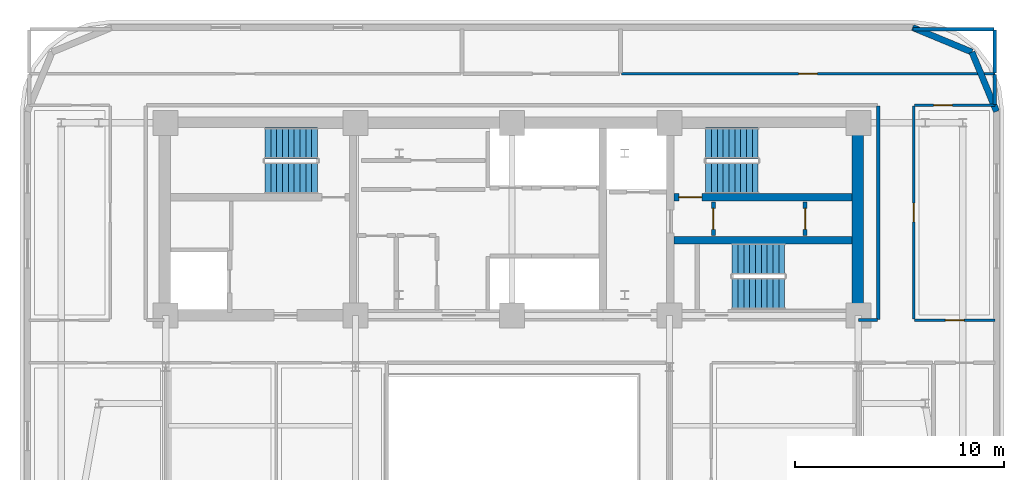
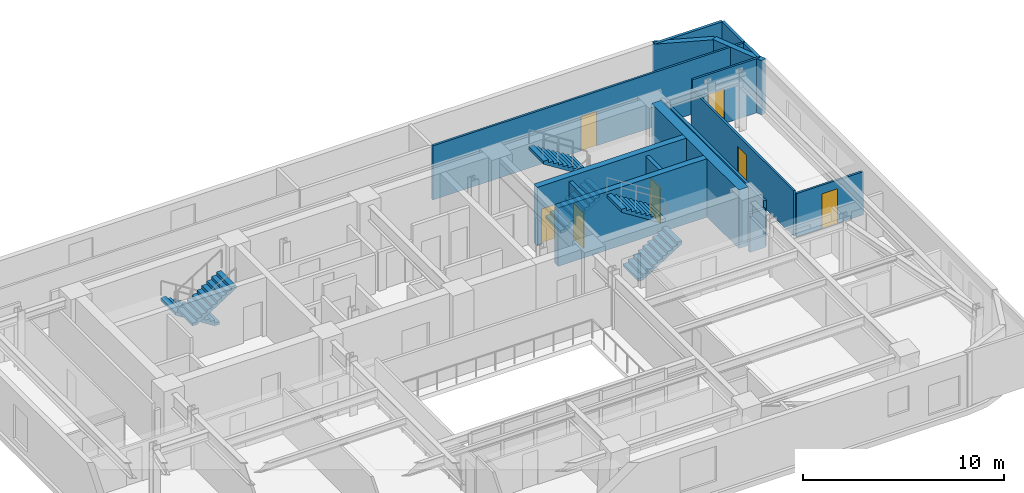
# One storey, part 8 of 11: 16 walls, 7 doors, 6 stair flights, 7 openings, 3 elements without a shape of their own.
"""IFC4 building model written with IfcOpenShell, lengths in metres."""

from ifc_helpers import new_model, si_unit, direction, frame, frame_2d, origin, place, context, subcontext, project, spatial, polyline, rectangle, outline, extrude, material, layer, layer_set, type_object, element, fill, aggregate, save


model = new_model("IFC4")

# Units and contexts
model_context = context("Model", 3, precision=1e-05, world=origin(), true_north=direction((0.0, 1.0)))
body_context = subcontext(model_context, "Body", "Model", "MODEL_VIEW")
ifc_project = project(units=[si_unit("LENGTHUNIT", "METRE"), si_unit("AREAUNIT", "SQUARE_METRE"), si_unit("VOLUMEUNIT", "CUBIC_METRE"), si_unit("PLANEANGLEUNIT", "RADIAN"), si_unit("MASSUNIT", "GRAM", prefix="KILO")], contexts=[model_context])

# Site, building, storey
site_placement = place(None, origin())
site = spatial("IfcSite", under=ifc_project, at=site_placement, CompositionType="ELEMENT")
building_placement = place(site_placement, origin())
building = spatial("IfcBuilding", under=site, at=building_placement, Name="Zarnavel Station Tower", CompositionType="ELEMENT")
storey_placement = place(building_placement, frame((0.0, 0.0, 151.89990234375)))
storey = spatial("IfcBuildingStorey", under=building, at=storey_placement, Name="L41", CompositionType="ELEMENT", Elevation=151.89990234375)

# Wall, opening, door
ifc_material_1 = material(Name="Concrete C50/60", Category="concrete")
ifc_layer_1 = layer(ifc_material_1, 0.35009765625)
ifc_layer_set_1 = layer_set([ifc_layer_1], Name="CW_350")
wall_type_1 = type_object("IfcWallType", Name="CW_350", PredefinedType="SHEAR", material=ifc_layer_set_1)
wall_1_placement = place(storey_placement, frame((45.10498046875, 33.47998046875, 0.0), z_axis=(0.0, 0.0, 1.0), x_axis=(-1.0, 0.0, 0.0)))
wall_1 = element("IfcWall", 1, at=wall_1_placement, inside=storey, type_object=wall_type_1, Name="L41 Rear Core Shear Wall DIV-H2", PredefinedType="SHEAR", context=body_context, shape_type="SweptSolid", body=[
    extrude(rectangle(XDim=8.550048828125, YDim=0.35009765625, at=frame_2d((4.27490234375, 0.0))), origin(), (0.0, 0.0, 1.0), 3.550048828125),
])
opening_1_placement = place(wall_1_placement, frame((7.205078125, 0.0, 0.0)))
opening_1 = element("IfcOpeningElement", 2, at=opening_1_placement, cuts=wall_1, Name="Opening FD01", PredefinedType="OPENING", context=body_context, shape_type="SweptSolid", body=[
    extrude(rectangle(XDim=1.10009765625, YDim=2.14990234375, at=frame_2d((0.550048828125, 1.074951171875))), frame((0.0, 0.18505859375, 0.0), z_axis=(0.0, -1.0, 0.0), x_axis=(1.0, 0.0, 0.0)), (0.0, 0.0, 1.0), 0.3701171875),
])
ifc_material_2 = material(Name="Painted Galvanised Steel and Hardwood Leaf", Category="steel")
door_type_1 = type_object("IfcDoorType", Name="ID_STAIR_1100", OperationType="NOTDEFINED", PredefinedType="DOOR", material=ifc_material_2)
door_1_placement = place(opening_1_placement, origin())
door_1 = element("IfcDoor", 3, at=door_1_placement, inside=storey, type_object=door_type_1, Name="L41 Stair ST2 Lobby Fire Door", OperationType="SINGLE_SWING_RIGHT", OverallHeight=2.14990234375, OverallWidth=1.10009765625, PredefinedType="DOOR", context=body_context, shape_type="SweptSolid", body=[
    extrude(rectangle(XDim=1.10009765625, YDim=2.14990234375, at=frame_2d((0.550048828125, 1.074951171875))), frame((0.0, 0.02490234375, 0.0), z_axis=(0.0, -1.0, 0.0), x_axis=(1.0, 0.0, 0.0)), (0.0, 0.0, 1.0), 0.050048828125),
])
fill(opening_1, door_1)

# Walls
wall_2_placement = place(storey_placement, frame((36.554931640625, 31.419921875, 0.0), z_axis=(0.0, 0.0, 1.0), x_axis=(1.0, 0.0, 0.0)))
element("IfcWall", 4, at=wall_2_placement, inside=storey, type_object=wall_type_1, Name="L41 Rear Core Shear Wall DIV-H3", PredefinedType="SHEAR", context=body_context, shape_type="SweptSolid", body=[
    extrude(rectangle(XDim=8.550048828125, YDim=0.35009765625, at=frame_2d((4.27490234375, 0.0))), origin(), (0.0, 0.0, 1.0), 3.550048828125),
])
ifc_material_3 = material(Name="Concrete C50/60", Category="concrete")
ifc_layer_2 = layer(ifc_material_3, 0.550048828125)
ifc_layer_set_2 = layer_set([ifc_layer_2], Name="CW_550")
wall_type_2 = type_object("IfcWallType", Name="CW_550", PredefinedType="SHEAR", material=ifc_layer_set_2)
wall_3_placement = place(storey_placement, frame((45.3798828125, 28.094970703125, 0.0), z_axis=(0.0, 0.0, 1.0), x_axis=(0.0, 1.0, 0.0)))
element("IfcWall", 5, at=wall_3_placement, inside=storey, type_object=wall_type_2, Name="L41 Rear Core Shear Wall E", PredefinedType="SHEAR", context=body_context, shape_type="SweptSolid", body=[
    extrude(rectangle(XDim=8.679931640625, YDim=0.550048828125, at=frame_2d((4.33984375, 0.0))), origin(), (0.0, 0.0, 1.0), 3.550048828125),
])
ifc_material_4 = material(Name="Precast concrete C45/55 (Dark Basalt Finish)", Category="masonry")
ifc_layer_3 = layer(ifc_material_4, 0.300048828125)
ifc_layer_set_3 = layer_set([ifc_layer_3], Name="EW_BASALT_300")
wall_type_3 = type_object("IfcWallType", Name="EW_BASALT_300", PredefinedType="SOLIDWALL", material=ifc_layer_set_3)
for number, where, z_axis, x_axis, name in (
    (6, (50.842529296875, 40.442626953125, 0.0), (0.0, 0.0, 1.0), (0.382704529509, -0.923870793506, 0.0), "L41 Exterior Basalt Masonry Frame Wall 04"),
    (7, (48.0, 41.6201171875, 0.0), (0.0, 0.0, 1.0), (0.923870793506, -0.382704529509, 0.0), "L41 Exterior Basalt Masonry Frame Wall 05"),
):
    element("IfcWall", number, at=place(storey_placement, frame(where, z_axis=z_axis, x_axis=x_axis)), inside=storey, type_object=wall_type_3, Name=name, PredefinedType="SOLIDWALL", context=body_context, shape_type="SweptSolid", body=[
        extrude(rectangle(XDim=3.07666015625, YDim=0.300048828125, at=frame_2d((1.538330078125, 0.0))), origin(), (0.0, 0.0, 1.0), 3.2900390625),
    ])
ifc_material_5 = material(Name="Gypsum Twin-Stud Acoustic Fire Partition", Category="concrete")
ifc_layer_4 = layer(ifc_material_5, 0.159912109375)
ifc_layer_set_4 = layer_set([ifc_layer_4], Name="PT_DEMISE_160")
wall_type_4 = type_object("IfcWallType", Name="PT_DEMISE_160", PredefinedType="PARTITIONING", material=ifc_layer_set_4)
wall_4_placement = place(storey_placement, frame((45.409912109375, 27.60009765625, 0.0), z_axis=(0.0, 0.0, 1.0), x_axis=(1.0, 0.0, 0.0)))
element("IfcWall", 8, at=wall_4_placement, inside=storey, type_object=wall_type_4, Name="L41 Enclosure Wall COR-S", PredefinedType="PARTITIONING", context=body_context, shape_type="SweptSolid", body=[
    extrude(rectangle(XDim=0.91015625, YDim=0.159912109375, at=frame_2d((0.455078125, 0.0))), origin(), (0.0, 0.0, 1.0), 2.360107421875),
])
wall_5_placement = place(storey_placement, frame((46.35009765625, 27.6298828125, 0.0), z_axis=(0.0, 0.0, 1.0), x_axis=(0.0, 1.0, 0.0)))
element("IfcWall", 9, at=wall_5_placement, inside=storey, type_object=wall_type_4, Name="L41 Enclosure Wall COR-E", PredefinedType="PARTITIONING", context=body_context, shape_type="SweptSolid", body=[
    extrude(rectangle(XDim=10.240234375, YDim=0.159912109375, at=frame_2d((5.1201171875, 0.0))), origin(), (0.0, 0.0, 1.0), 2.77001953125),
])
wall_6_placement = place(storey_placement, frame((51.93994140625, 37.929931640625, 0.0), z_axis=(0.0, 0.0, 1.0), x_axis=(0.0, 1.0, 0.0)))
element("IfcWall", 10, at=wall_6_placement, inside=storey, type_object=wall_type_4, Name="L41 Enclosure Wall COR-N", PredefinedType="PARTITIONING", context=body_context, shape_type="SweptSolid", body=[
    extrude(rectangle(XDim=1.440185546875, YDim=0.159912109375, at=frame_2d((0.72021484375, 0.0))), origin(), (0.0, 0.0, 1.0), 3.2900390625),
])
wall_7_placement = place(storey_placement, frame((48.030029296875, 41.5400390625, 0.0), z_axis=(0.0, 0.0, 1.0), x_axis=(1.0, 0.0, 0.0)))
element("IfcWall", 11, at=wall_7_placement, inside=storey, type_object=wall_type_4, Name="L41 Enclosure Wall NSTR", PredefinedType="PARTITIONING", context=body_context, shape_type="SweptSolid", body=[
    extrude(rectangle(XDim=3.8798828125, YDim=0.159912109375, at=frame_2d((1.93994140625, 0.0))), origin(), (0.0, 0.0, 1.0), 3.2900390625),
])
wall_8_placement = place(storey_placement, frame((51.93994140625, 39.429931640625, 0.0), z_axis=(0.0, 0.0, 1.0), x_axis=(0.0, 1.0, 0.0)))
element("IfcWall", 12, at=wall_8_placement, inside=storey, type_object=wall_type_4, Name="L41 Enclosure Wall NSTR", PredefinedType="PARTITIONING", context=body_context, shape_type="SweptSolid", body=[
    extrude(rectangle(XDim=2.080078125, YDim=0.159912109375, at=frame_2d((1.0400390625, 0.0))), origin(), (0.0, 0.0, 1.0), 3.2900390625),
])

# Wall, opening, door
ifc_material_6 = material(Name="Gypsum Metal-Stud Interior Partition", Category="concrete")
ifc_layer_5 = layer(ifc_material_6, 0.1201171875)
ifc_layer_set_5 = layer_set([ifc_layer_5], Name="PT_ROOM_120")
wall_type_5 = type_object("IfcWallType", Name="PT_ROOM_120", PredefinedType="PARTITIONING", material=ifc_layer_set_5)
wall_9_placement = place(storey_placement, frame((48.090087890625, 27.60009765625, 0.0), z_axis=(0.0, 0.0, 1.0), x_axis=(1.0, 0.0, 0.0)))
wall_9 = element("IfcWall", 13, at=wall_9_placement, inside=storey, type_object=wall_type_5, Name="L41 Partition COR-S-FNE", PredefinedType="PARTITIONING", context=body_context, shape_type="SweptSolid", body=[
    extrude(rectangle(XDim=3.849853515625, YDim=0.1201171875, at=frame_2d((1.9248046875, 0.0))), origin(), (0.0, 0.0, 1.0), 2.6201171875),
])
opening_2_placement = place(wall_9_placement, frame((1.47509765625, 0.0, 0.0)))
opening_2 = element("IfcOpeningElement", 14, at=opening_2_placement, cuts=wall_9, Name="Opening ID01", PredefinedType="OPENING", context=body_context, shape_type="SweptSolid", body=[
    extrude(rectangle(XDim=0.89990234375, YDim=2.10009765625, at=frame_2d((0.449951171875, 1.050048828125))), frame((0.0, 0.070068359375, 0.0), z_axis=(0.0, -1.0, 0.0), x_axis=(1.0, 0.0, 0.0)), (0.0, 0.0, 1.0), 0.14013671875),
])
ifc_material_7 = material(Name="Painted Galvanised Steel and Hardwood Leaf", Category="steel")
door_type_2 = type_object("IfcDoorType", Name="ID_ROOM_900", OperationType="NOTDEFINED", PredefinedType="DOOR", material=ifc_material_7)
door_2_placement = place(opening_2_placement, origin())
door_2 = element("IfcDoor", 15, at=door_2_placement, inside=storey, type_object=door_type_2, Name="L41 Door COR-S-FNE", OperationType="SINGLE_SWING_LEFT", OverallHeight=2.10009765625, OverallWidth=0.89990234375, PredefinedType="DOOR", context=body_context, shape_type="SweptSolid", body=[
    extrude(rectangle(XDim=0.89990234375, YDim=2.10009765625, at=frame_2d((0.449951171875, 1.050048828125))), frame((0.0, 0.02490234375, 0.0), z_axis=(0.0, -1.0, 0.0), x_axis=(1.0, 0.0, 0.0)), (0.0, 0.0, 1.0), 0.050048828125),
])
fill(opening_2, door_2)

wall_10_placement = place(storey_placement, frame((48.050048828125, 27.639892578125, 0.0), z_axis=(0.0, 0.0, 1.0), x_axis=(0.0, 1.0, 0.0)))
wall_10 = element("IfcWall", 16, at=wall_10_placement, inside=storey, type_object=wall_type_5, Name="L41 Partition COR-E-FNE", PredefinedType="PARTITIONING", context=body_context, shape_type="SweptSolid", body=[
    extrude(rectangle(XDim=10.22021484375, YDim=0.1201171875, at=frame_2d((5.110107421875, 0.0))), origin(), (0.0, 0.0, 1.0), 2.77001953125),
])
opening_3_placement = place(wall_10_placement, frame((4.659912109375, 0.0, 0.0)))
opening_3 = element("IfcOpeningElement", 17, at=opening_3_placement, cuts=wall_10, Name="Opening ID01", PredefinedType="OPENING", context=body_context, shape_type="SweptSolid", body=[
    extrude(rectangle(XDim=0.89990234375, YDim=2.10009765625, at=frame_2d((0.449951171875, 1.050048828125))), frame((0.0, 0.070068359375, 0.0), z_axis=(0.0, -1.0, 0.0), x_axis=(1.0, 0.0, 0.0)), (0.0, 0.0, 1.0), 0.14013671875),
])
door_3_placement = place(opening_3_placement, origin())
door_3 = element("IfcDoor", 18, at=door_3_placement, inside=storey, type_object=door_type_2, Name="L41 Door COR-E-FNE", OperationType="SINGLE_SWING_LEFT", OverallHeight=2.10009765625, OverallWidth=0.89990234375, PredefinedType="DOOR", context=body_context, shape_type="SweptSolid", body=[
    extrude(rectangle(XDim=0.89990234375, YDim=2.10009765625, at=frame_2d((0.449951171875, 1.050048828125))), frame((0.0, 0.02490234375, 0.0), z_axis=(0.0, -1.0, 0.0), x_axis=(1.0, 0.0, 0.0)), (0.0, 0.0, 1.0), 0.050048828125),
])
fill(opening_3, door_3)

wall_11_placement = place(storey_placement, frame((48.090087890625, 37.89990234375, 0.0), z_axis=(0.0, 0.0, 1.0), x_axis=(1.0, 0.0, 0.0)))
wall_11 = element("IfcWall", 19, at=wall_11_placement, inside=storey, type_object=wall_type_5, Name="L41 Partition COR-N-FNE", PredefinedType="PARTITIONING", context=body_context, shape_type="SweptSolid", body=[
    extrude(rectangle(XDim=3.849853515625, YDim=0.1201171875, at=frame_2d((1.9248046875, 0.0))), origin(), (0.0, 0.0, 1.0), 3.2900390625),
])
opening_4_placement = place(wall_11_placement, frame((0.918701171875, 0.0, 0.0)))
opening_4 = element("IfcOpeningElement", 20, at=opening_4_placement, cuts=wall_11, Name="Opening ID01", PredefinedType="OPENING", context=body_context, shape_type="SweptSolid", body=[
    extrude(rectangle(XDim=0.89990234375, YDim=2.10009765625, at=frame_2d((0.449951171875, 1.050048828125))), frame((0.0, 0.070068359375, 0.0), z_axis=(0.0, -1.0, 0.0), x_axis=(1.0, 0.0, 0.0)), (0.0, 0.0, 1.0), 0.14013671875),
])
door_4_placement = place(opening_4_placement, origin())
door_4 = element("IfcDoor", 21, at=door_4_placement, inside=storey, type_object=door_type_2, Name="L41 Door COR-N-FNE", OperationType="SINGLE_SWING_LEFT", OverallHeight=2.10009765625, OverallWidth=0.89990234375, PredefinedType="DOOR", context=body_context, shape_type="SweptSolid", body=[
    extrude(rectangle(XDim=0.89990234375, YDim=2.10009765625, at=frame_2d((0.449951171875, 1.050048828125))), frame((0.0, 0.02490234375, 0.0), z_axis=(0.0, -1.0, 0.0), x_axis=(1.0, 0.0, 0.0)), (0.0, 0.0, 1.0), 0.050048828125),
])
fill(opening_4, door_4)

wall_12_placement = place(storey_placement, frame((34.0400390625, 39.39990234375, 0.0), z_axis=(0.0, 0.0, 1.0), x_axis=(1.0, 0.0, 0.0)))
wall_12 = element("IfcWall", 22, at=wall_12_placement, inside=storey, type_object=wall_type_5, Name="L41 Partition COR-N-NSTR", PredefinedType="PARTITIONING", context=body_context, shape_type="SweptSolid", body=[
    extrude(rectangle(XDim=17.89990234375, YDim=0.1201171875, at=frame_2d((8.949951171875, 0.0))), origin(), (0.0, 0.0, 1.0), 3.2900390625),
])
opening_5_placement = place(wall_12_placement, frame((8.5, 0.0, 0.0)))
opening_5 = element("IfcOpeningElement", 23, at=opening_5_placement, cuts=wall_12, Name="Opening ID01", PredefinedType="OPENING", context=body_context, shape_type="SweptSolid", body=[
    extrude(rectangle(XDim=0.89990234375, YDim=2.10009765625, at=frame_2d((0.449951171875, 1.050048828125))), frame((0.0, 0.070068359375, 0.0), z_axis=(0.0, -1.0, 0.0), x_axis=(1.0, 0.0, 0.0)), (0.0, 0.0, 1.0), 0.14013671875),
])
door_5_placement = place(opening_5_placement, origin())
door_5 = element("IfcDoor", 24, at=door_5_placement, inside=storey, type_object=door_type_2, Name="L41 Door COR-N-NSTR", OperationType="SINGLE_SWING_RIGHT", OverallHeight=2.10009765625, OverallWidth=0.89990234375, PredefinedType="DOOR", context=body_context, shape_type="SweptSolid", body=[
    extrude(rectangle(XDim=0.89990234375, YDim=2.10009765625, at=frame_2d((0.449951171875, 1.050048828125))), frame((0.0, 0.02490234375, 0.0), z_axis=(0.0, -1.0, 0.0), x_axis=(1.0, 0.0, 0.0)), (0.0, 0.0, 1.0), 0.050048828125),
])
fill(opening_5, door_5)

ifc_material_8 = material(Name="Precast concrete C45/55 (Fire Shaft Blockwork)", Category="masonry")
ifc_layer_6 = layer(ifc_material_8, 0.199951171875)
ifc_layer_set_6 = layer_set([ifc_layer_6], Name="PT_SHAFT_200")
wall_type_6 = type_object("IfcWallType", Name="PT_SHAFT_200", PredefinedType="PARTITIONING", material=ifc_layer_set_6)
wall_13_placement = place(storey_placement, frame((38.449951171875, 31.639892578125, 0.0), z_axis=(0.0, 0.0, 1.0), x_axis=(0.0, 1.0, 0.0)))
wall_13 = element("IfcWall", 25, at=wall_13_placement, inside=storey, type_object=wall_type_6, Name="L41 Partition ESTV-CEA", PredefinedType="PARTITIONING", context=body_context, shape_type="SweptSolid", body=[
    extrude(rectangle(XDim=1.6201171875, YDim=0.199951171875, at=frame_2d((0.81005859375, 0.0))), origin(), (0.0, 0.0, 1.0), 3.2900390625),
])
opening_6_placement = place(wall_13_placement, frame((0.31005859375, 0.0, 0.0)))
opening_6 = element("IfcOpeningElement", 26, at=opening_6_placement, cuts=wall_13, Name="Opening FD02", PredefinedType="OPENING", context=body_context, shape_type="SweptSolid", body=[
    extrude(rectangle(XDim=1.0, YDim=2.14990234375, at=frame_2d((0.5, 1.074951171875))), frame((0.0, 0.10986328125, 0.0), z_axis=(0.0, -1.0, 0.0), x_axis=(1.0, 0.0, 0.0)), (0.0, 0.0, 1.0), 0.219970703125),
])
ifc_material_9 = material(Name="Painted Galvanised Steel and Hardwood Leaf", Category="steel")
door_type_3 = type_object("IfcDoorType", Name="ID_ENTRY_1000", OperationType="NOTDEFINED", PredefinedType="DOOR", material=ifc_material_9)
door_6_placement = place(opening_6_placement, origin())
door_6 = element("IfcDoor", 27, at=door_6_placement, inside=storey, type_object=door_type_3, Name="L41 Door ESTV-CEA", OperationType="SINGLE_SWING_LEFT", OverallHeight=2.14990234375, OverallWidth=1.0, PredefinedType="DOOR", context=body_context, shape_type="SweptSolid", body=[
    extrude(rectangle(XDim=1.0, YDim=2.14990234375, at=frame_2d((0.5, 1.074951171875))), frame((0.0, 0.02490234375, 0.0), z_axis=(0.0, -1.0, 0.0), x_axis=(1.0, 0.0, 0.0)), (0.0, 0.0, 1.0), 0.050048828125),
])
fill(opening_6, door_6)

wall_14_placement = place(storey_placement, frame((42.85009765625, 31.639892578125, 0.0), z_axis=(0.0, 0.0, 1.0), x_axis=(0.0, 1.0, 0.0)))
wall_14 = element("IfcWall", 28, at=wall_14_placement, inside=storey, type_object=wall_type_6, Name="L41 Partition CEA-CEB", PredefinedType="PARTITIONING", context=body_context, shape_type="SweptSolid", body=[
    extrude(rectangle(XDim=1.6201171875, YDim=0.199951171875, at=frame_2d((0.81005859375, 0.0))), origin(), (0.0, 0.0, 1.0), 3.2900390625),
])
opening_7_placement = place(wall_14_placement, frame((0.31005859375, 0.0, 0.0)))
opening_7 = element("IfcOpeningElement", 29, at=opening_7_placement, cuts=wall_14, Name="Opening FD02", PredefinedType="OPENING", context=body_context, shape_type="SweptSolid", body=[
    extrude(rectangle(XDim=1.0, YDim=2.14990234375, at=frame_2d((0.5, 1.074951171875))), frame((0.0, 0.10986328125, 0.0), z_axis=(0.0, -1.0, 0.0), x_axis=(1.0, 0.0, 0.0)), (0.0, 0.0, 1.0), 0.219970703125),
])
door_7_placement = place(opening_7_placement, origin())
door_7 = element("IfcDoor", 30, at=door_7_placement, inside=storey, type_object=door_type_3, Name="L41 Door CEA-CEB", OperationType="SINGLE_SWING_RIGHT", OverallHeight=2.14990234375, OverallWidth=1.0, PredefinedType="DOOR", context=body_context, shape_type="SweptSolid", body=[
    extrude(rectangle(XDim=1.0, YDim=2.14990234375, at=frame_2d((0.5, 1.074951171875))), frame((0.0, 0.02490234375, 0.0), z_axis=(0.0, -1.0, 0.0), x_axis=(1.0, 0.0, 0.0)), (0.0, 0.0, 1.0), 0.050048828125),
])
fill(opening_7, door_7)

# Stair, stair flights
ifc_material_10 = material(Name="Concrete C45/55", Category="concrete")
stair_type = type_object("IfcStairType", Name="ST_CORE_150", PredefinedType="HALF_TURN_STAIR", material=ifc_material_10)
stair_1_placement = place(storey_placement, origin())
stair_1 = element("IfcStair", 31, at=stair_1_placement, inside=storey, type_object=stair_type, Name="L41 Core Exit Stair ST1", PredefinedType="HALF_TURN_STAIR")
ifc_material_11 = material(Name="Concrete C45/55", Category="concrete")
ifc_layer_7 = layer(ifc_material_11, 0.179931640625)
ifc_layer_set_7 = layer_set([ifc_layer_7], Name="ST_CORE_150_FLT")
stair_flight_type = type_object("IfcStairFlightType", Name="ST_CORE_150_FLT", PredefinedType="STRAIGHT", material=ifc_layer_set_7)
stair_flight_1_placement = place(storey_placement, frame((19.47998046875, 36.070068359375, 0.0), z_axis=(0.0, 0.0, 1.0), x_axis=(-1.0, 0.0, 0.0)))
stair_flight_1 = element("IfcStairFlight", 32, at=stair_flight_1_placement, type_object=stair_flight_type, Name="ST1 flight 1", NumberOfRisers=10, NumberOfTreads=9, PredefinedType="STRAIGHT", RiserHeight=0.1775, TreadLength=0.28, context=body_context, shape_type="SweptSolid", body=[
    extrude(outline(polyline([(0.0, 0.0), (0.0, 0.177490234375), (0.280029296875, 0.177490234375), (0.280029296875, 0.35498046875), (0.56005859375, 0.35498046875), (0.56005859375, 0.532470703125), (0.840087890625, 0.532470703125), (0.840087890625, 0.7099609375), (1.1201171875, 0.7099609375), (1.1201171875, 0.887451171875), (1.39990234375, 0.887451171875), (1.39990234375, 1.06494140625), (1.679931640625, 1.06494140625), (1.679931640625, 1.242431640625), (1.9599609375, 1.242431640625), (1.9599609375, 1.419921875), (2.239990234375, 1.419921875), (2.239990234375, 1.597412109375), (2.52001953125, 1.597412109375), (2.52001953125, 1.77490234375), (2.52001953125, 1.419921875), (0.280029296875, 0.0), (0.0, 0.0)])), frame((0.0, 0.75, 0.0), z_axis=(0.0, -1.0, 0.0), x_axis=(1.0, 0.0, 0.0)), (0.0, 0.0, 1.0), 1.5),
])
stair_flight_2_placement = place(storey_placement, frame((16.9599609375, 34.409912109375, 1.775146484375), z_axis=(0.0, 0.0, 1.0), x_axis=(1.0, 0.0, 0.0)))
stair_flight_2 = element("IfcStairFlight", 33, at=stair_flight_2_placement, type_object=stair_flight_type, Name="ST1 flight 2", NumberOfRisers=10, NumberOfTreads=9, PredefinedType="STRAIGHT", RiserHeight=0.1775, TreadLength=0.28, context=body_context, shape_type="SweptSolid", body=[
    extrude(outline(polyline([(0.0, 0.0), (0.0, 0.177490234375), (0.280029296875, 0.177490234375), (0.280029296875, 0.35498046875), (0.56005859375, 0.35498046875), (0.56005859375, 0.532470703125), (0.840087890625, 0.532470703125), (0.840087890625, 0.7099609375), (1.1201171875, 0.7099609375), (1.1201171875, 0.887451171875), (1.39990234375, 0.887451171875), (1.39990234375, 1.06494140625), (1.679931640625, 1.06494140625), (1.679931640625, 1.242431640625), (1.9599609375, 1.242431640625), (1.9599609375, 1.419921875), (2.239990234375, 1.419921875), (2.239990234375, 1.597412109375), (2.52001953125, 1.597412109375), (2.52001953125, 1.77490234375), (2.52001953125, 1.419921875), (0.280029296875, 0.0), (0.0, 0.0)])), frame((0.0, 0.75, 0.0), z_axis=(0.0, -1.0, 0.0), x_axis=(1.0, 0.0, 0.0)), (0.0, 0.0, 1.0), 1.5),
])
aggregate(stair_1, [stair_flight_1, stair_flight_2])

stair_2_placement = place(storey_placement, origin())
stair_2 = element("IfcStair", 34, at=stair_2_placement, inside=storey, type_object=stair_type, Name="L41 Core Exit Stair ST2", PredefinedType="HALF_TURN_STAIR")
stair_flight_3_placement = place(storey_placement, frame((38.080078125, 34.409912109375, 0.0), z_axis=(0.0, 0.0, 1.0), x_axis=(1.0, 0.0, 0.0)))
stair_flight_3 = element("IfcStairFlight", 35, at=stair_flight_3_placement, type_object=stair_flight_type, Name="ST2 flight 1", NumberOfRisers=10, NumberOfTreads=9, PredefinedType="STRAIGHT", RiserHeight=0.1775, TreadLength=0.28, context=body_context, shape_type="SweptSolid", body=[
    extrude(outline(polyline([(0.0, 0.0), (0.0, 0.177490234375), (0.280029296875, 0.177490234375), (0.280029296875, 0.35498046875), (0.56005859375, 0.35498046875), (0.56005859375, 0.532470703125), (0.840087890625, 0.532470703125), (0.840087890625, 0.7099609375), (1.1201171875, 0.7099609375), (1.1201171875, 0.887451171875), (1.39990234375, 0.887451171875), (1.39990234375, 1.06494140625), (1.679931640625, 1.06494140625), (1.679931640625, 1.242431640625), (1.9599609375, 1.242431640625), (1.9599609375, 1.419921875), (2.239990234375, 1.419921875), (2.239990234375, 1.597412109375), (2.52001953125, 1.597412109375), (2.52001953125, 1.77490234375), (2.52001953125, 1.419921875), (0.280029296875, 0.0), (0.0, 0.0)])), frame((0.0, 0.75, 0.0), z_axis=(0.0, -1.0, 0.0), x_axis=(1.0, 0.0, 0.0)), (0.0, 0.0, 1.0), 1.5),
])
stair_flight_4_placement = place(storey_placement, frame((40.60009765625, 36.070068359375, 1.775146484375), z_axis=(0.0, 0.0, 1.0), x_axis=(-1.0, 0.0, 0.0)))
stair_flight_4 = element("IfcStairFlight", 36, at=stair_flight_4_placement, type_object=stair_flight_type, Name="ST2 flight 2", NumberOfRisers=10, NumberOfTreads=9, PredefinedType="STRAIGHT", RiserHeight=0.1775, TreadLength=0.28, context=body_context, shape_type="SweptSolid", body=[
    extrude(outline(polyline([(0.0, 0.0), (0.0, 0.177490234375), (0.280029296875, 0.177490234375), (0.280029296875, 0.35498046875), (0.56005859375, 0.35498046875), (0.56005859375, 0.532470703125), (0.840087890625, 0.532470703125), (0.840087890625, 0.7099609375), (1.1201171875, 0.7099609375), (1.1201171875, 0.887451171875), (1.39990234375, 0.887451171875), (1.39990234375, 1.06494140625), (1.679931640625, 1.06494140625), (1.679931640625, 1.242431640625), (1.9599609375, 1.242431640625), (1.9599609375, 1.419921875), (2.239990234375, 1.419921875), (2.239990234375, 1.597412109375), (2.52001953125, 1.597412109375), (2.52001953125, 1.77490234375), (2.52001953125, 1.419921875), (0.280029296875, 0.0), (0.0, 0.0)])), frame((0.0, 0.75, 0.0), z_axis=(0.0, -1.0, 0.0), x_axis=(1.0, 0.0, 0.0)), (0.0, 0.0, 1.0), 1.5),
])
aggregate(stair_2, [stair_flight_3, stair_flight_4])

stair_3_placement = place(storey_placement, origin())
stair_3 = element("IfcStair", 37, at=stair_3_placement, inside=storey, type_object=stair_type, Name="L41 Core Exit Stair ST3", PredefinedType="HALF_TURN_STAIR")
stair_flight_5_placement = place(storey_placement, frame((39.35009765625, 28.8701171875, 0.0), z_axis=(0.0, 0.0, 1.0), x_axis=(1.0, 0.0, 0.0)))
stair_flight_5 = element("IfcStairFlight", 38, at=stair_flight_5_placement, type_object=stair_flight_type, Name="ST3 flight 1", NumberOfRisers=10, NumberOfTreads=9, PredefinedType="STRAIGHT", RiserHeight=0.1775, TreadLength=0.28, context=body_context, shape_type="SweptSolid", body=[
    extrude(outline(polyline([(0.0, 0.0), (0.0, 0.177490234375), (0.280029296875, 0.177490234375), (0.280029296875, 0.35498046875), (0.56005859375, 0.35498046875), (0.56005859375, 0.532470703125), (0.840087890625, 0.532470703125), (0.840087890625, 0.7099609375), (1.1201171875, 0.7099609375), (1.1201171875, 0.887451171875), (1.39990234375, 0.887451171875), (1.39990234375, 1.06494140625), (1.679931640625, 1.06494140625), (1.679931640625, 1.242431640625), (1.9599609375, 1.242431640625), (1.9599609375, 1.419921875), (2.239990234375, 1.419921875), (2.239990234375, 1.597412109375), (2.52001953125, 1.597412109375), (2.52001953125, 1.77490234375), (2.52001953125, 1.419921875), (0.280029296875, 0.0), (0.0, 0.0)])), frame((0.0, 0.75, 0.0), z_axis=(0.0, -1.0, 0.0), x_axis=(1.0, 0.0, 0.0)), (0.0, 0.0, 1.0), 1.5),
])
stair_flight_6_placement = place(storey_placement, frame((41.8701171875, 30.530029296875, 1.775146484375), z_axis=(0.0, 0.0, 1.0), x_axis=(-1.0, 0.0, 0.0)))
stair_flight_6 = element("IfcStairFlight", 39, at=stair_flight_6_placement, type_object=stair_flight_type, Name="ST3 flight 2", NumberOfRisers=10, NumberOfTreads=9, PredefinedType="STRAIGHT", RiserHeight=0.1775, TreadLength=0.28, context=body_context, shape_type="SweptSolid", body=[
    extrude(outline(polyline([(0.0, 0.0), (0.0, 0.177490234375), (0.280029296875, 0.177490234375), (0.280029296875, 0.35498046875), (0.56005859375, 0.35498046875), (0.56005859375, 0.532470703125), (0.840087890625, 0.532470703125), (0.840087890625, 0.7099609375), (1.1201171875, 0.7099609375), (1.1201171875, 0.887451171875), (1.39990234375, 0.887451171875), (1.39990234375, 1.06494140625), (1.679931640625, 1.06494140625), (1.679931640625, 1.242431640625), (1.9599609375, 1.242431640625), (1.9599609375, 1.419921875), (2.239990234375, 1.419921875), (2.239990234375, 1.597412109375), (2.52001953125, 1.597412109375), (2.52001953125, 1.77490234375), (2.52001953125, 1.419921875), (0.280029296875, 0.0), (0.0, 0.0)])), frame((0.0, 0.75, 0.0), z_axis=(0.0, -1.0, 0.0), x_axis=(1.0, 0.0, 0.0)), (0.0, 0.0, 1.0), 1.5),
])
aggregate(stair_3, [stair_flight_5, stair_flight_6])

save(model, "model.ifc")
